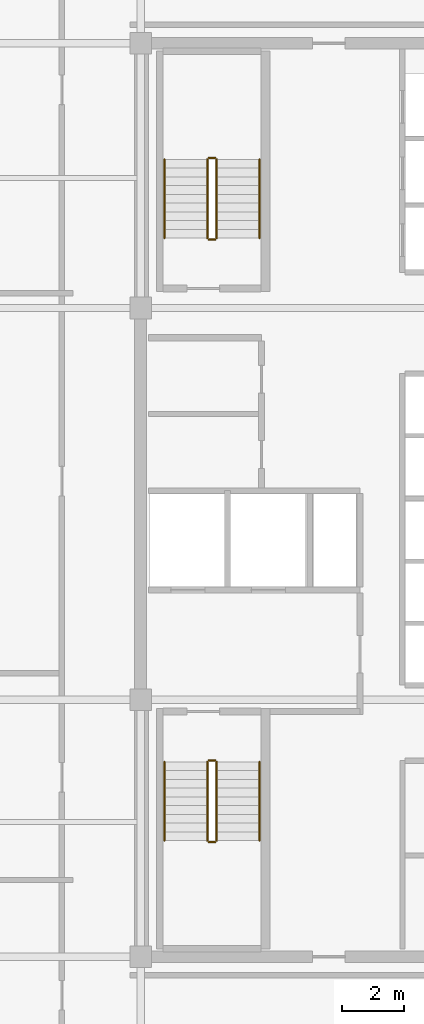
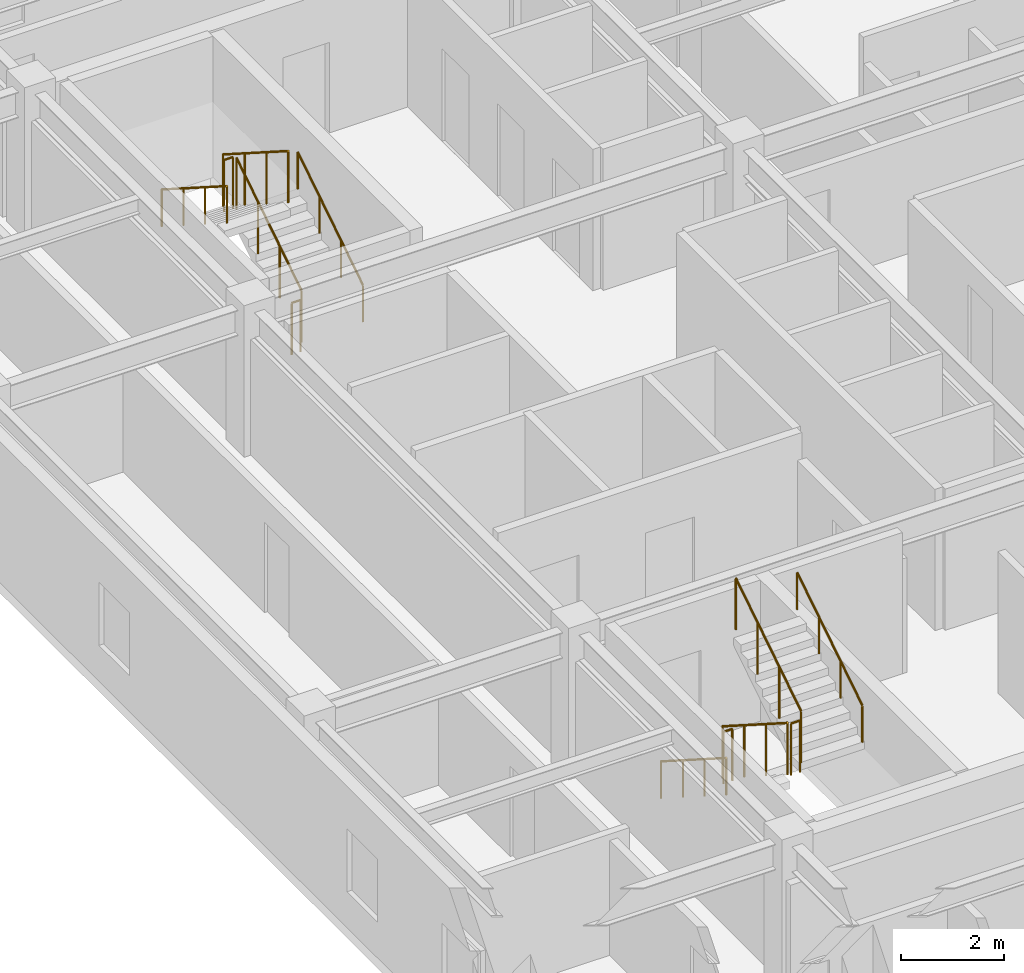
# One storey, part 8 of 8: 12 railings.
"""IFC4 building model written with IfcOpenShell, lengths in metres."""

from ifc_helpers import new_model, si_unit, direction, frame, origin, origin_2d, place, context, subcontext, project, spatial, circle, extrude, material, type_object, element, save


model = new_model("IFC4")

# Units and contexts
model_context = context("Model", 3, precision=1e-05, world=origin(), true_north=direction((0.0, 1.0)))
body_context = subcontext(model_context, "Body", "Model", "MODEL_VIEW")
ifc_project = project(units=[si_unit("LENGTHUNIT", "METRE"), si_unit("AREAUNIT", "SQUARE_METRE"), si_unit("VOLUMEUNIT", "CUBIC_METRE"), si_unit("PLANEANGLEUNIT", "RADIAN"), si_unit("MASSUNIT", "GRAM", prefix="KILO")], contexts=[model_context])

# Site, building, storey
site_placement = place(None, origin())
site = spatial("IfcSite", under=ifc_project, at=site_placement, CompositionType="ELEMENT")
building_placement = place(site_placement, origin())
building = spatial("IfcBuilding", under=site, at=building_placement, Name="Ochreholt Gables", CompositionType="ELEMENT")
storey_placement = place(building_placement, frame((0.0, 0.0, 181.199951171875)))
storey = spatial("IfcBuildingStorey", under=building, at=storey_placement, Name="L47", CompositionType="ELEMENT", Elevation=181.199951171875)

# Railings
ifc_material_1 = material(Name="Painted Steel Stair Guardrail", Category="steel")
railing_type_1 = type_object("IfcRailingType", Name="RL-ST-GUARD", PredefinedType="GUARDRAIL", material=ifc_material_1)
railing_1_placement = place(storey_placement, frame((26.35009765625, 15.5400390625, 0.179931640625)))
element("IfcRailing", 1, at=railing_1_placement, inside=storey, type_object=railing_type_1, Name="L47 ST-1 stair guard 1", PredefinedType="GUARDRAIL", context=body_context, shape_type="SweptSolid", body=[
    extrude(circle(Radius=0.02392578125, at=origin_2d()), frame((0.0, 0.0, 1.22607421875), z_axis=(0.0, -0.842912820907, 0.538050161556), x_axis=(1.0, 0.0, 0.0)), (0.0, 0.0, 1.0), 3.010986328125),
    extrude(circle(Radius=0.02099609375, at=origin_2d()), origin(), (0.0, 0.0, 1.0), 1.201904296875),
    extrude(circle(Radius=0.02099609375, at=origin_2d()), frame((0.0, -0.845947265625, 0.5400390625)), (0.0, 0.0, 1.0), 1.201904296875),
    extrude(circle(Radius=0.02099609375, at=origin_2d()), frame((0.0, -1.692138671875, 1.080078125)), (0.0, 0.0, 1.0), 1.201904296875),
    extrude(circle(Radius=0.02099609375, at=origin_2d()), frame((0.0, -2.5380859375, 1.6201171875)), (0.0, 0.0, 1.0), 1.201904296875),
])
railing_2_placement = place(storey_placement, frame((26.39990234375, 12.951904296875, 1.800048828125)))
element("IfcRailing", 2, at=railing_2_placement, inside=storey, type_object=railing_type_1, Name="L47 ST-1 stair guard 2", PredefinedType="GUARDRAIL", context=body_context, shape_type="SweptSolid", body=[
    extrude(circle(Radius=0.02392578125, at=origin_2d()), frame((0.0, 0.0, 1.22607421875), z_axis=(1.0, 0.0, 0.0), x_axis=(0.0, 1.0, 0.0)), (0.0, 0.0, 1.0), 0.2001953125),
    extrude(circle(Radius=0.02099609375, at=origin_2d()), origin(), (0.0, 0.0, 1.0), 1.201904296875),
    extrude(circle(Radius=0.02099609375, at=origin_2d()), frame((0.2001953125, 0.0, 0.0)), (0.0, 0.0, 1.0), 1.201904296875),
])
railing_3_placement = place(storey_placement, frame((26.64990234375, 13.001953125, 1.97998046875)))
element("IfcRailing", 3, at=railing_3_placement, inside=storey, type_object=railing_type_1, Name="L47 ST-1 stair guard 3", PredefinedType="GUARDRAIL", context=body_context, shape_type="SweptSolid", body=[
    extrude(circle(Radius=0.02392578125, at=origin_2d()), frame((0.0, 0.0, 1.22607421875), z_axis=(0.0, 0.842912820907, 0.538050161556), x_axis=(-1.0, 0.0, 0.0)), (0.0, 0.0, 1.0), 3.010986328125),
    extrude(circle(Radius=0.02099609375, at=origin_2d()), origin(), (0.0, 0.0, 1.0), 1.201904296875),
    extrude(circle(Radius=0.02099609375, at=origin_2d()), frame((0.0, 0.845947265625, 0.5400390625)), (0.0, 0.0, 1.0), 1.201904296875),
    extrude(circle(Radius=0.02099609375, at=origin_2d()), frame((0.0, 1.692138671875, 1.080078125)), (0.0, 0.0, 1.0), 1.201904296875),
    extrude(circle(Radius=0.02099609375, at=origin_2d()), frame((0.0, 2.5380859375, 1.6201171875)), (0.0, 0.0, 1.0), 1.201904296875),
])
railing_4_placement = place(storey_placement, frame((26.39990234375, 15.590087890625, 0.0)))
element("IfcRailing", 4, at=railing_4_placement, inside=storey, type_object=railing_type_1, Name="L47 ST-1 stair guard 4", PredefinedType="GUARDRAIL", context=body_context, shape_type="SweptSolid", body=[
    extrude(circle(Radius=0.02392578125, at=origin_2d()), frame((0.0, 0.0, 1.22607421875), z_axis=(1.0, 0.0, 0.0), x_axis=(0.0, 1.0, 0.0)), (0.0, 0.0, 1.0), 0.2001953125),
    extrude(circle(Radius=0.02099609375, at=origin_2d()), origin(), (0.0, 0.0, 1.0), 1.201904296875),
    extrude(circle(Radius=0.02099609375, at=origin_2d()), frame((0.2001953125, 0.0, 0.0)), (0.0, 0.0, 1.0), 1.201904296875),
])
railing_5_placement = place(storey_placement, frame((26.64990234375, 32.4599609375, 0.179931640625)))
element("IfcRailing", 5, at=railing_5_placement, inside=storey, type_object=railing_type_1, Name="L47 ST-2 stair guard 1", PredefinedType="GUARDRAIL", context=body_context, shape_type="SweptSolid", body=[
    extrude(circle(Radius=0.02392578125, at=origin_2d()), frame((0.0, 0.0, 1.22607421875), z_axis=(0.0, 0.842912820907, 0.538050161556), x_axis=(-1.0, 0.0, 0.0)), (0.0, 0.0, 1.0), 3.010986328125),
    extrude(circle(Radius=0.02099609375, at=origin_2d()), origin(), (0.0, 0.0, 1.0), 1.201904296875),
    extrude(circle(Radius=0.02099609375, at=origin_2d()), frame((0.0, 0.845947265625, 0.5400390625)), (0.0, 0.0, 1.0), 1.201904296875),
    extrude(circle(Radius=0.02099609375, at=origin_2d()), frame((0.0, 1.692138671875, 1.080078125)), (0.0, 0.0, 1.0), 1.201904296875),
    extrude(circle(Radius=0.02099609375, at=origin_2d()), frame((0.0, 2.5380859375, 1.6201171875)), (0.0, 0.0, 1.0), 1.201904296875),
])
railing_6_placement = place(storey_placement, frame((26.60009765625, 35.048095703125, 1.800048828125)))
element("IfcRailing", 6, at=railing_6_placement, inside=storey, type_object=railing_type_1, Name="L47 ST-2 stair guard 2", PredefinedType="GUARDRAIL", context=body_context, shape_type="SweptSolid", body=[
    extrude(circle(Radius=0.02392578125, at=origin_2d()), frame((0.0, 0.0, 1.22607421875), z_axis=(-1.0, 0.0, 0.0), x_axis=(0.0, -1.0, 0.0)), (0.0, 0.0, 1.0), 0.2001953125),
    extrude(circle(Radius=0.02099609375, at=origin_2d()), origin(), (0.0, 0.0, 1.0), 1.201904296875),
    extrude(circle(Radius=0.02099609375, at=origin_2d()), frame((-0.2001953125, 0.0, 0.0)), (0.0, 0.0, 1.0), 1.201904296875),
])
railing_7_placement = place(storey_placement, frame((26.35009765625, 34.998046875, 1.97998046875)))
element("IfcRailing", 7, at=railing_7_placement, inside=storey, type_object=railing_type_1, Name="L47 ST-2 stair guard 3", PredefinedType="GUARDRAIL", context=body_context, shape_type="SweptSolid", body=[
    extrude(circle(Radius=0.02392578125, at=origin_2d()), frame((0.0, 0.0, 1.22607421875), z_axis=(0.0, -0.842912820907, 0.538050161556), x_axis=(1.0, 0.0, 0.0)), (0.0, 0.0, 1.0), 3.010986328125),
    extrude(circle(Radius=0.02099609375, at=origin_2d()), origin(), (0.0, 0.0, 1.0), 1.201904296875),
    extrude(circle(Radius=0.02099609375, at=origin_2d()), frame((0.0, -0.845947265625, 0.5400390625)), (0.0, 0.0, 1.0), 1.201904296875),
    extrude(circle(Radius=0.02099609375, at=origin_2d()), frame((0.0, -1.692138671875, 1.080078125)), (0.0, 0.0, 1.0), 1.201904296875),
    extrude(circle(Radius=0.02099609375, at=origin_2d()), frame((0.0, -2.5380859375, 1.6201171875)), (0.0, 0.0, 1.0), 1.201904296875),
])
railing_8_placement = place(storey_placement, frame((26.60009765625, 32.409912109375, 0.0)))
element("IfcRailing", 8, at=railing_8_placement, inside=storey, type_object=railing_type_1, Name="L47 ST-2 stair guard 4", PredefinedType="GUARDRAIL", context=body_context, shape_type="SweptSolid", body=[
    extrude(circle(Radius=0.02392578125, at=origin_2d()), frame((0.0, 0.0, 1.22607421875), z_axis=(-1.0, 0.0, 0.0), x_axis=(0.0, -1.0, 0.0)), (0.0, 0.0, 1.0), 0.2001953125),
    extrude(circle(Radius=0.02099609375, at=origin_2d()), origin(), (0.0, 0.0, 1.0), 1.201904296875),
    extrude(circle(Radius=0.02099609375, at=origin_2d()), frame((-0.2001953125, 0.0, 0.0)), (0.0, 0.0, 1.0), 1.201904296875),
])
ifc_material_2 = material(Name="Brushed Stainless Steel Wall Handrail", Category="steel")
railing_type_2 = type_object("IfcRailingType", Name="RL-ST-HAND", PredefinedType="HANDRAIL", material=ifc_material_2)
railing_9_placement = place(storey_placement, frame((24.969970703125, 15.5400390625, 0.179931640625)))
element("IfcRailing", 9, at=railing_9_placement, inside=storey, type_object=railing_type_2, Name="L47 ST-1 stair handrail 1", PredefinedType="HANDRAIL", context=body_context, shape_type="SweptSolid", body=[
    extrude(circle(Radius=0.02392578125, at=origin_2d()), frame((0.0, 0.0, 0.8759765625), z_axis=(0.0, -0.842912820907, 0.538050161556), x_axis=(1.0, 0.0, 0.0)), (0.0, 0.0, 1.0), 3.010986328125),
    extrude(circle(Radius=0.02099609375, at=origin_2d()), origin(), (0.0, 0.0, 1.0), 0.851806640625),
    extrude(circle(Radius=0.02099609375, at=origin_2d()), frame((0.0, -0.845947265625, 0.5400390625)), (0.0, 0.0, 1.0), 0.851806640625),
    extrude(circle(Radius=0.02099609375, at=origin_2d()), frame((0.0, -1.692138671875, 1.080078125)), (0.0, 0.0, 1.0), 0.851806640625),
    extrude(circle(Radius=0.02099609375, at=origin_2d()), frame((0.0, -2.5380859375, 1.6201171875)), (0.0, 0.0, 1.0), 0.851806640625),
])
for number, where, name in (
    (10, (28.030029296875, 13.001953125, 1.97998046875), "L47 ST-1 stair handrail 2"),
    (11, (28.030029296875, 32.4599609375, 0.179931640625), "L47 ST-2 stair handrail 1"),
):
    element("IfcRailing", number, at=place(storey_placement, frame(where)), inside=storey, type_object=railing_type_2, Name=name, PredefinedType="HANDRAIL", context=body_context, shape_type="SweptSolid", body=[
        extrude(circle(Radius=0.02392578125, at=origin_2d()), frame((0.0, 0.0, 0.8759765625), z_axis=(0.0, 0.842912820907, 0.538050161556), x_axis=(-1.0, 0.0, 0.0)), (0.0, 0.0, 1.0), 3.010986328125),
        extrude(circle(Radius=0.02099609375, at=origin_2d()), origin(), (0.0, 0.0, 1.0), 0.851806640625),
        extrude(circle(Radius=0.02099609375, at=origin_2d()), frame((0.0, 0.845947265625, 0.5400390625)), (0.0, 0.0, 1.0), 0.851806640625),
        extrude(circle(Radius=0.02099609375, at=origin_2d()), frame((0.0, 1.692138671875, 1.080078125)), (0.0, 0.0, 1.0), 0.851806640625),
        extrude(circle(Radius=0.02099609375, at=origin_2d()), frame((0.0, 2.5380859375, 1.6201171875)), (0.0, 0.0, 1.0), 0.851806640625),
    ])
railing_10_placement = place(storey_placement, frame((24.969970703125, 34.998046875, 1.97998046875)))
element("IfcRailing", 12, at=railing_10_placement, inside=storey, type_object=railing_type_2, Name="L47 ST-2 stair handrail 2", PredefinedType="HANDRAIL", context=body_context, shape_type="SweptSolid", body=[
    extrude(circle(Radius=0.02392578125, at=origin_2d()), frame((0.0, 0.0, 0.8759765625), z_axis=(0.0, -0.842912820907, 0.538050161556), x_axis=(1.0, 0.0, 0.0)), (0.0, 0.0, 1.0), 3.010986328125),
    extrude(circle(Radius=0.02099609375, at=origin_2d()), origin(), (0.0, 0.0, 1.0), 0.851806640625),
    extrude(circle(Radius=0.02099609375, at=origin_2d()), frame((0.0, -0.845947265625, 0.5400390625)), (0.0, 0.0, 1.0), 0.851806640625),
    extrude(circle(Radius=0.02099609375, at=origin_2d()), frame((0.0, -1.692138671875, 1.080078125)), (0.0, 0.0, 1.0), 0.851806640625),
    extrude(circle(Radius=0.02099609375, at=origin_2d()), frame((0.0, -2.5380859375, 1.6201171875)), (0.0, 0.0, 1.0), 0.851806640625),
])

save(model, "model.ifc")
